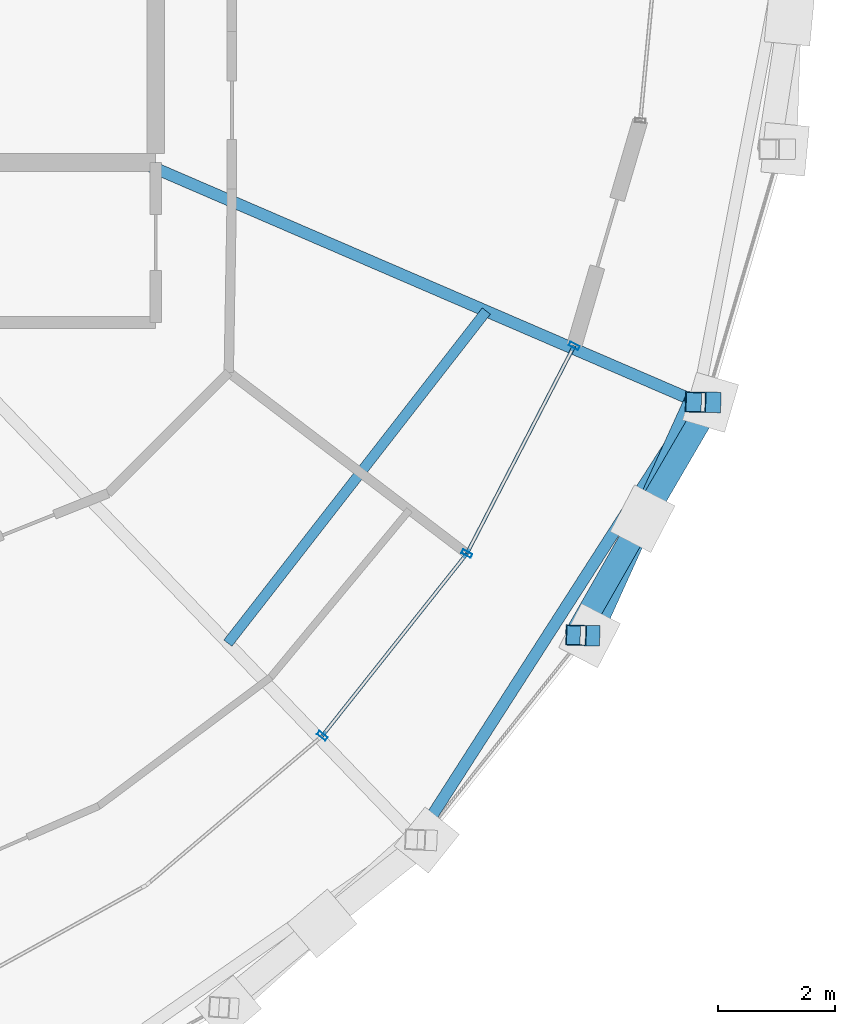
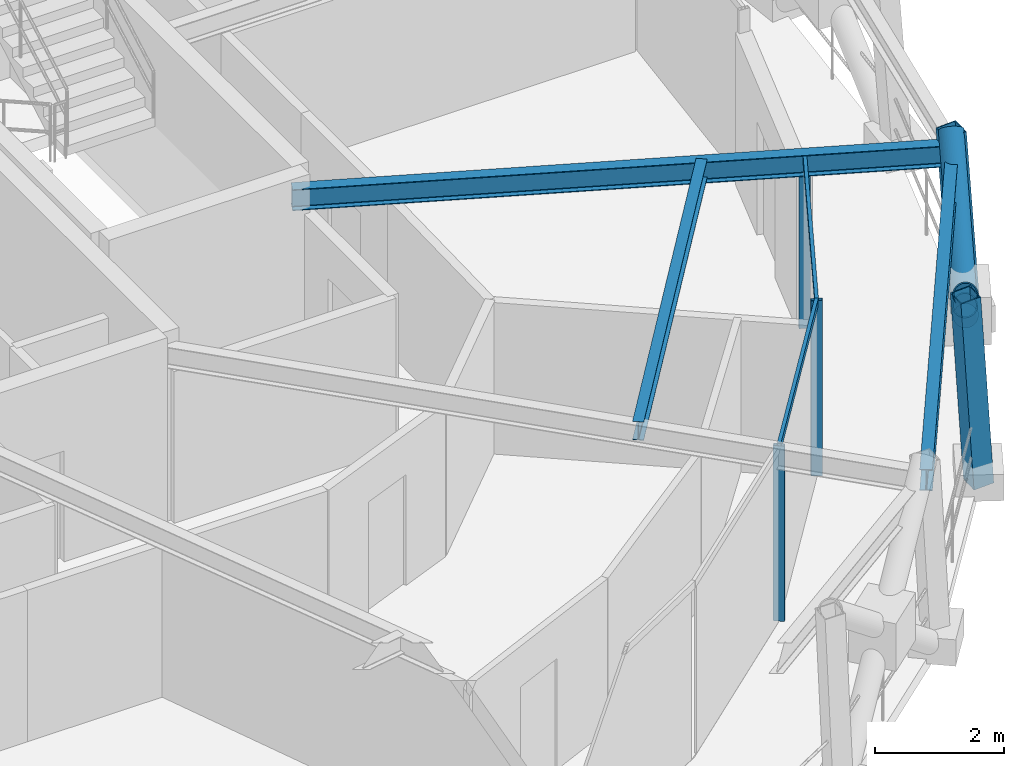
# One storey, part 4 of 15: 10 members, 3 beams, 1 element without a shape of its own.
"""IFC4 building model written with IfcOpenShell, lengths in metres."""

from ifc_helpers import new_model, si_unit, direction, frame, origin, origin_2d, place, context, subcontext, project, spatial, hollow_rectangle, hollow_circle, i_section, extrude, material, layer, layer_set, material_profile, profile_set, type_object, element, aggregate, save


model = new_model("IFC4")

# Units and contexts
model_context = context("Model", 3, precision=1e-05, world=origin(), true_north=direction((0.0, 1.0)))
body_context = subcontext(model_context, "Body", "Model", "MODEL_VIEW")
ifc_project = project(units=[si_unit("LENGTHUNIT", "METRE"), si_unit("AREAUNIT", "SQUARE_METRE"), si_unit("VOLUMEUNIT", "CUBIC_METRE"), si_unit("PLANEANGLEUNIT", "RADIAN"), si_unit("MASSUNIT", "GRAM", prefix="KILO")], contexts=[model_context])

# Site, building, storey
site_placement = place(None, origin())
site = spatial("IfcSite", under=ifc_project, at=site_placement, CompositionType="ELEMENT")
building_placement = place(site_placement, origin())
building = spatial("IfcBuilding", under=site, at=building_placement, Name="Veldorina Hangang Commons", CompositionType="ELEMENT")
storey_placement = place(building_placement, frame((0.0, 0.0, 258.0)))
storey = spatial("IfcBuildingStorey", under=building, at=storey_placement, Name="L67", CompositionType="ELEMENT", Elevation=258.0)

# Beams
ifc_material_1 = material(Name="Steel SM355-TMC", Category="steel")
ifc_material_profile_1 = material_profile(ifc_material_1, i_section(OverallWidth=0.199951171875, OverallDepth=0.39990234375, WebThickness=0.008056640625, FlangeThickness=0.012939453125, FilletRadius=0.012939453125, at=origin_2d()), Name="H-400x200x8x13")
ifc_profile_set_1 = profile_set([ifc_material_profile_1], Name="Steel SM355-TMC")
beam_type_1 = type_object("IfcBeamType", Name="BM-FG400", PredefinedType="BEAM", material=ifc_profile_set_1)
beam_1_placement = place(storey_placement, frame((42.94287109375, 19.280029296875, 3.159912109375), z_axis=(0.918226721478, -0.396055157728, 0.0), x_axis=(0.396055157728, 0.918226721478, 0.0)))
element("IfcBeam", 1, at=beam_1_placement, inside=storey, type_object=beam_type_1, Name="L67 radial floor girder 16", PredefinedType="BEAM", context=body_context, shape_type="SweptSolid", body=[
    extrude(i_section(OverallWidth=0.199951171875, OverallDepth=0.39990234375, WebThickness=0.008056640625, FlangeThickness=0.012939453125, FilletRadius=0.012939453125, at=origin_2d()), origin(), (0.0, 0.0, 1.0), 10.32763671875),
])
ifc_material_profile_2 = material_profile(ifc_material_1, i_section(OverallWidth=0.175048828125, OverallDepth=0.35009765625, WebThickness=0.007080078125, FlangeThickness=0.010986328125, FilletRadius=0.012939453125, at=origin_2d()), Name="H-350x175x7x11")
ifc_profile_set_2 = profile_set([ifc_material_profile_2], Name="Steel SM355-TMC")
beam_type_2 = type_object("IfcBeamType", Name="BM-JST350", PredefinedType="JOIST", material=ifc_profile_set_2)
beam_2_placement = place(storey_placement, frame((44.411376953125, 11.07568359375, 3.18505859375), z_axis=(0.614159443247, 0.789181967781, 0.0), x_axis=(-0.789181967781, 0.614159443247, 0.0)))
element("IfcBeam", 2, at=beam_2_placement, inside=storey, type_object=beam_type_2, Name="L67 secondary floor joist 15", PredefinedType="JOIST", context=body_context, shape_type="SweptSolid", body=[
    extrude(i_section(OverallWidth=0.175048828125, OverallDepth=0.35009765625, WebThickness=0.007080078125, FlangeThickness=0.010986328125, FilletRadius=0.012939453125, at=origin_2d()), origin(), (0.0, 0.0, 1.0), 7.182373046875),
])
ifc_material_profile_3 = material_profile(ifc_material_1, i_section(OverallWidth=0.199951171875, OverallDepth=0.39990234375, WebThickness=0.008056640625, FlangeThickness=0.012939453125, FilletRadius=0.012939453125, at=origin_2d()), Name="H-400x200x8x13")
ifc_profile_set_3 = profile_set([ifc_material_profile_3], Name="Steel SM355-TMC")
beam_type_3 = type_object("IfcBeamType", Name="BM-RB400", PredefinedType="BEAM", material=ifc_profile_set_3)
beam_3_placement = place(storey_placement, frame((47.633544921875, 7.720458984375, 3.159912109375), z_axis=(0.540026031638, 0.841648314413, 0.0), x_axis=(-0.841648314413, 0.540026031638, 0.0)))
element("IfcBeam", 3, at=beam_3_placement, inside=storey, type_object=beam_type_3, Name="L67 perimeter hoop ring beam 28", PredefinedType="BEAM", context=body_context, shape_type="SweptSolid", body=[
    extrude(i_section(OverallWidth=0.199951171875, OverallDepth=0.39990234375, WebThickness=0.008056640625, FlangeThickness=0.012939453125, FilletRadius=0.012939453125, at=origin_2d()), origin(), (0.0, 0.0, 1.0), 8.87451171875),
])

# Curtain wall, members
ifc_material_2 = material(Name="Glass Low-E Selective", Category="glass")
ifc_layer = layer(ifc_material_2, 0.179931640625)
ifc_layer_set = layer_set([ifc_layer], Name="Glass Low-E Selective")
curtain_wall_type = type_object("IfcCurtainWallType", Name="CW-SYS-Z3", PredefinedType="NOTDEFINED", material=ifc_layer_set)
curtain_wall_placement = place(storey_placement, origin())
curtain_wall = element("IfcCurtainWall", 4, at=curtain_wall_placement, inside=storey, type_object=curtain_wall_type, Name="L67 unitised curtain wall CW-L67-R1", PredefinedType="NOTDEFINED")
ifc_material_3 = material(Name="Aluminium Anodized AA6063-T6", Category="aluminium")
ifc_material_profile_4 = material_profile(ifc_material_3, hollow_rectangle(XDim=0.070068359375, YDim=0.179931640625, WallThickness=0.00390625, at=origin_2d()), Name="ALU-RHS-180x70x4")
ifc_profile_set_4 = profile_set([ifc_material_profile_4], Name="Aluminium Anodized AA6063-T6")
member_type_1 = type_object("IfcMemberType", Name="CW-MUL-180", PredefinedType="MULLION", material=ifc_profile_set_4)
member_1_placement = place(storey_placement, frame((46.02392578125, 9.494873046875, 0.0), z_axis=(0.0, 0.0, 1.0), x_axis=(0.621571708307, 0.783357269343, 0.0)))
member_1 = element("IfcMember", 5, at=member_1_placement, type_object=member_type_1, Name="CW-L67-R1 vertical mullion 2", PredefinedType="MULLION", context=body_context, shape_type="SweptSolid", body=[
    extrude(hollow_rectangle(XDim=0.070068359375, YDim=0.179931640625, WallThickness=0.00390625, at=origin_2d()), origin(), (0.0, 0.0, 1.0), 3.320068359375),
])
member_2_placement = place(storey_placement, frame((48.490478515625, 12.603515625, 0.0), z_axis=(0.0, 0.0, 1.0), x_axis=(0.459083760002, 0.888392988099, 0.0)))
member_2 = element("IfcMember", 6, at=member_2_placement, type_object=member_type_1, Name="CW-L67-R1 vertical mullion 3", PredefinedType="MULLION", context=body_context, shape_type="SweptSolid", body=[
    extrude(hollow_rectangle(XDim=0.070068359375, YDim=0.179931640625, WallThickness=0.00390625, at=origin_2d()), origin(), (0.0, 0.0, 1.0), 3.320068359375),
])
member_3_placement = place(storey_placement, frame((50.322998046875, 16.14990234375, 0.0), z_axis=(0.0, 0.0, 1.0), x_axis=(-0.459083760002, -0.888392988099, 0.0)))
member_3 = element("IfcMember", 7, at=member_3_placement, type_object=member_type_1, Name="CW-L67-R1 vertical mullion 4", PredefinedType="MULLION", context=body_context, shape_type="SweptSolid", body=[
    extrude(hollow_rectangle(XDim=0.070068359375, YDim=0.179931640625, WallThickness=0.00390625, at=origin_2d()), origin(), (0.0, 0.0, 1.0), 3.320068359375),
])
ifc_material_profile_5 = material_profile(ifc_material_3, hollow_rectangle(XDim=0.06005859375, YDim=0.139892578125, WallThickness=0.00341796875, at=origin_2d()), Name="ALU-RHS-140x60x3.5")
ifc_profile_set_5 = profile_set([ifc_material_profile_5], Name="Aluminium Anodized AA6063-T6")
member_type_2 = type_object("IfcMemberType", Name="CW-TRN-140", PredefinedType="USERDEFINED", material=ifc_profile_set_5)
member_4_placement = place(storey_placement, frame((46.02392578125, 9.494873046875, 3.280029296875), z_axis=(0.621561391364, 0.783365455433, 0.0), x_axis=(-0.783365455433, 0.621561391364, 0.0)))
member_4 = element("IfcMember", 8, at=member_4_placement, type_object=member_type_2, Name="CW-L67-R1 facet 3 transom 1", ObjectType="TRANSOM", PredefinedType="USERDEFINED", context=body_context, shape_type="SweptSolid", body=[
    extrude(hollow_rectangle(XDim=0.06005859375, YDim=0.139892578125, WallThickness=0.00341796875, at=origin_2d()), origin(), (0.0, 0.0, 1.0), 3.96826171875),
])
member_5_placement = place(storey_placement, frame((48.490478515625, 12.603515625, 3.280029296875), z_axis=(0.459063497262, 0.888403458729, 0.0), x_axis=(-0.888403458729, 0.459063497262, 0.0)))
member_5 = element("IfcMember", 9, at=member_5_placement, type_object=member_type_2, Name="CW-L67-R1 facet 4 transom 1", ObjectType="TRANSOM", PredefinedType="USERDEFINED", context=body_context, shape_type="SweptSolid", body=[
    extrude(hollow_rectangle(XDim=0.06005859375, YDim=0.139892578125, WallThickness=0.00341796875, at=origin_2d()), origin(), (0.0, 0.0, 1.0), 3.991943359375),
])
aggregate(curtain_wall, [member_1, member_2, member_3, member_4, member_5])

# Members
ifc_material_profile_6 = material_profile(ifc_material_1, hollow_circle(Radius=0.199951171875, WallThickness=0.02001953125, at=origin_2d()), Name="CHS-400x20")
ifc_profile_set_6 = profile_set([ifc_material_profile_6], Name="Steel SM355-TMC")
member_type_3 = type_object("IfcMemberType", Name="DG-CHS400", PredefinedType="BRACE", material=ifc_profile_set_6)
member_6_placement = place(storey_placement, frame((50.585693359375, 11.203369140625, 0.0), z_axis=(0.319164924552, 0.703368855323, 0.635142507078), x_axis=(-0.910633651295, 0.413214657446, 0.0)))
element("IfcMember", 10, at=member_6_placement, inside=storey, type_object=member_type_3, Name="L67 continuous perimeter diagrid brace 29", PredefinedType="BRACE", context=body_context, shape_type="SweptSolid", body=[
    extrude(hollow_circle(Radius=0.199951171875, WallThickness=0.02001953125, at=origin_2d()), origin(), (0.0, 0.0, 1.0), 5.668212890625),
])
member_7_placement = place(storey_placement, frame((52.6513671875, 15.185546875, 0.0), z_axis=(-0.396871085878, -0.679610402637, 0.616946546973), x_axis=(0.863540071885, -0.504280223931, 0.0)))
element("IfcMember", 11, at=member_7_placement, inside=storey, type_object=member_type_3, Name="L67 split perimeter diagrid lower brace 30", PredefinedType="BRACE", context=body_context, shape_type="SweptSolid", body=[
    extrude(hollow_circle(Radius=0.199951171875, WallThickness=0.02001953125, at=origin_2d()), origin(), (0.0, 0.0, 1.0), 2.922119140625),
])
member_8_placement = place(storey_placement, frame((51.49169921875, 13.19970703125, 1.802734375), z_axis=(-0.390404335375, -0.683144713114, 0.617169146883), x_axis=(0.868223471862, -0.496173359733, 0.0)))
element("IfcMember", 12, at=member_8_placement, inside=storey, type_object=member_type_3, Name="L67 split perimeter diagrid upper brace 30", PredefinedType="BRACE", context=body_context, shape_type="SweptSolid", body=[
    extrude(hollow_circle(Radius=0.199951171875, WallThickness=0.02001953125, at=origin_2d()), origin(), (0.0, 0.0, 1.0), 2.912353515625),
])
ifc_material_profile_7 = material_profile(ifc_material_1, hollow_rectangle(XDim=0.35009765625, YDim=0.35009765625, WallThickness=0.01611328125, at=origin_2d()), Name="SHS-350x350x16")
ifc_profile_set_7 = profile_set([ifc_material_profile_7], Name="Steel SM355-TMC")
member_type_4 = type_object("IfcMemberType", Name="STR-SHS350", PredefinedType="STRUT", material=ifc_profile_set_7)
member_9_placement = place(storey_placement, frame((50.585693359375, 11.203369140625, 0.0), z_axis=(-0.064021267573, 0.001894921239, 0.997946735338), x_axis=(-0.029585352235, -0.999562257657, 0.0)))
element("IfcMember", 13, at=member_9_placement, inside=storey, type_object=member_type_4, Name="L67 perimeter ring node post 29", PredefinedType="STRUT", context=body_context, shape_type="SweptSolid", body=[
    extrude(hollow_rectangle(XDim=0.35009765625, YDim=0.35009765625, WallThickness=0.01611328125, at=origin_2d()), origin(), (0.0, 0.0, 1.0), 3.607421875),
])
member_10_placement = place(storey_placement, frame((52.6513671875, 15.185546875, 0.0), z_axis=(-0.071093161764, 0.001285223667, 0.99746885192), x_axis=(-0.018075067574, -0.999836632622, 0.0)))
element("IfcMember", 14, at=member_10_placement, inside=storey, type_object=member_type_4, Name="L67 perimeter ring node post 30", PredefinedType="STRUT", context=body_context, shape_type="SweptSolid", body=[
    extrude(hollow_rectangle(XDim=0.35009765625, YDim=0.35009765625, WallThickness=0.01611328125, at=origin_2d()), origin(), (0.0, 0.0, 1.0), 3.609130859375),
])

save(model, "model.ifc")
